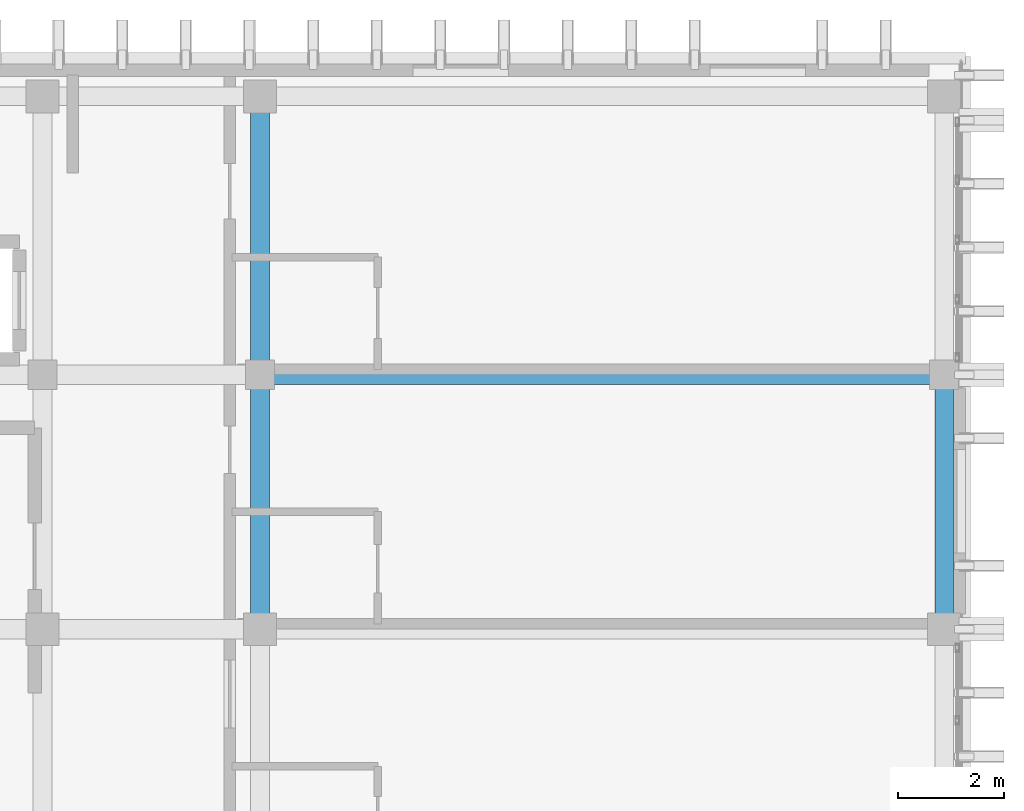
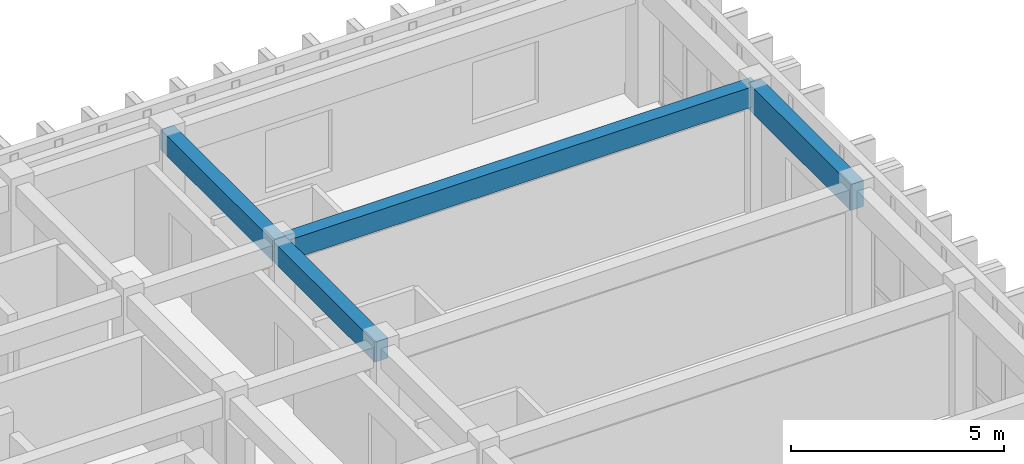
# One storey, part 34 of 50: 4 beams.
"""IFC4 building model written with IfcOpenShell, lengths in metres."""

from ifc_helpers import new_model, si_unit, direction, frame, origin, origin_2d, place, context, subcontext, project, spatial, rectangle, extrude, material, material_profile, profile_set, type_object, element, save


model = new_model("IFC4")

# Units and contexts
model_context = context("Model", 3, precision=1e-05, world=origin(), true_north=direction((0.0, 1.0)))
body_context = subcontext(model_context, "Body", "Model", "MODEL_VIEW")
ifc_project = project(units=[si_unit("LENGTHUNIT", "METRE"), si_unit("AREAUNIT", "SQUARE_METRE"), si_unit("VOLUMEUNIT", "CUBIC_METRE"), si_unit("PLANEANGLEUNIT", "RADIAN"), si_unit("MASSUNIT", "GRAM", prefix="KILO")], contexts=[model_context])

# Site, building, storey
site_placement = place(None, origin())
site = spatial("IfcSite", under=ifc_project, at=site_placement, CompositionType="ELEMENT")
building_placement = place(site_placement, origin())
building = spatial("IfcBuilding", under=site, at=building_placement, Name="Nakhvara Creek Congress Hotel", CompositionType="ELEMENT")
storey_placement = place(building_placement, frame((0.0, 0.0, 42.60009765625)))
storey = spatial("IfcBuildingStorey", under=building, at=storey_placement, Name="L10", CompositionType="ELEMENT", Elevation=42.60009765625)

# Beams
ifc_material = material(Name="Concrete C40/50", Category="concrete")
ifc_material_profile_1 = material_profile(ifc_material, rectangle(XDim=0.360107421875, YDim=0.580078125, at=origin_2d()), Name="RC-BM 360x580", Category="LoadBearing")
ifc_profile_set_1 = profile_set([ifc_material_profile_1], Name="Concrete C40/50")
beam_type_1 = type_object("IfcBeamType", Name="BM-RC-360X580", PredefinedType="BEAM", material=ifc_profile_set_1)
beam_1_placement = place(storey_placement, frame((166.449951171875, 115.199951171875, 3.369873046875), z_axis=(0.0, 1.0, 0.0), x_axis=(-1.0, 0.0, 0.0)))
element("IfcBeam", 1, at=beam_1_placement, inside=storey, type_object=beam_type_1, Name="Beam B09-L10-2685", PredefinedType="BEAM", context=body_context, shape_type="SweptSolid", body=[
    extrude(rectangle(XDim=0.360107421875, YDim=0.580078125, at=origin_2d()), origin(), (0.0, 0.0, 1.0), 4.800048828125),
])
beam_2_placement = place(storey_placement, frame((166.449951171875, 120.0, 3.369873046875), z_axis=(0.0, 1.0, 0.0), x_axis=(-1.0, 0.0, 0.0)))
element("IfcBeam", 2, at=beam_2_placement, inside=storey, type_object=beam_type_1, Name="Beam B09-L10-2687", PredefinedType="BEAM", context=body_context, shape_type="SweptSolid", body=[
    extrude(rectangle(XDim=0.360107421875, YDim=0.580078125, at=origin_2d()), origin(), (0.0, 0.0, 1.0), 5.25),
])
beam_3_placement = place(storey_placement, frame((166.449951171875, 120.0, 3.369873046875), z_axis=(1.0, 0.0, 0.0), x_axis=(0.0, 1.0, 0.0)))
element("IfcBeam", 3, at=beam_3_placement, inside=storey, type_object=beam_type_1, Name="Beam B09-L10-2719", PredefinedType="BEAM", context=body_context, shape_type="SweptSolid", body=[
    extrude(rectangle(XDim=0.360107421875, YDim=0.580078125, at=origin_2d()), origin(), (0.0, 0.0, 1.0), 12.900146484375),
])
ifc_material_profile_2 = material_profile(ifc_material, rectangle(XDim=0.35009765625, YDim=0.75, at=origin_2d()), Name="RC-SPANDREL 350x750", Category="LoadBearing")
ifc_profile_set_2 = profile_set([ifc_material_profile_2], Name="Concrete C40/50")
beam_type_2 = type_object("IfcBeamType", Name="BM-SPN-350X750", PredefinedType="SPANDREL", material=ifc_profile_set_2)
beam_4_placement = place(storey_placement, frame((179.35009765625, 115.199951171875, 3.284912109375), z_axis=(0.0, 1.0, 0.0), x_axis=(-1.0, 0.0, 0.0)))
element("IfcBeam", 4, at=beam_4_placement, inside=storey, type_object=beam_type_2, Name="Beam SP1-L10-2699", PredefinedType="SPANDREL", context=body_context, shape_type="SweptSolid", body=[
    extrude(rectangle(XDim=0.35009765625, YDim=0.75, at=origin_2d()), origin(), (0.0, 0.0, 1.0), 4.800048828125),
])

save(model, "model.ifc")
